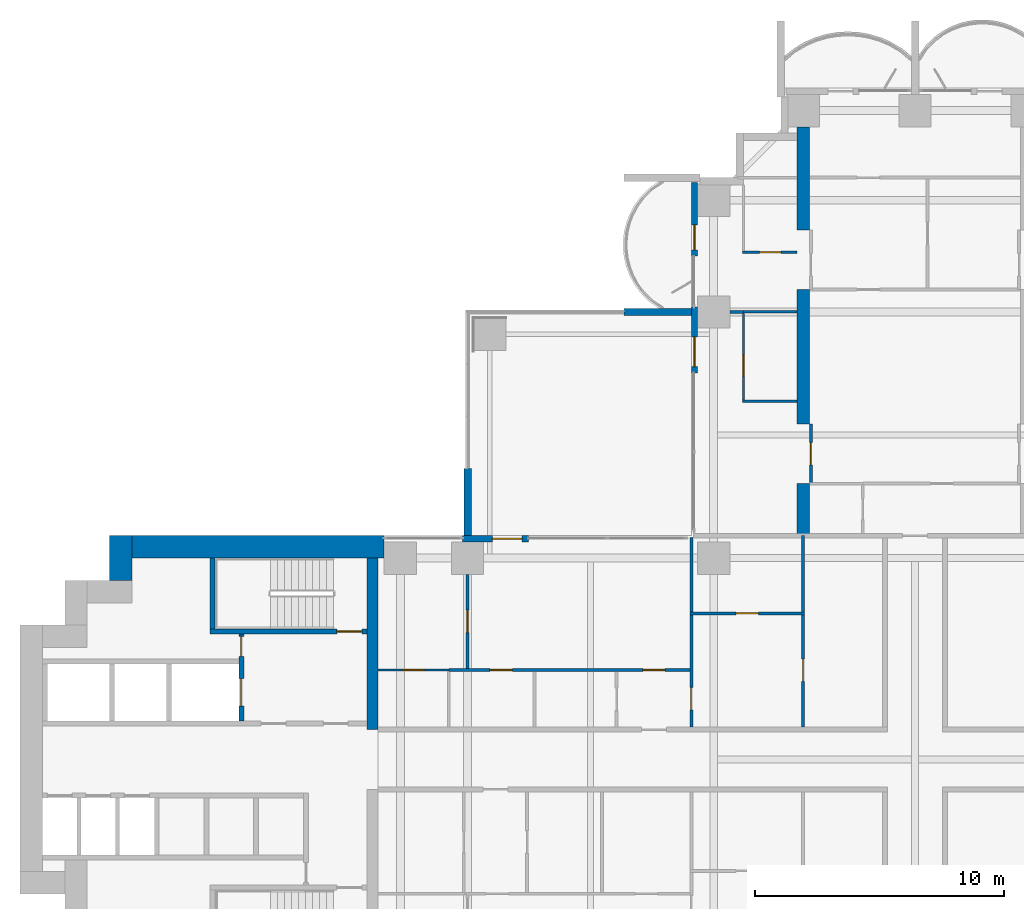
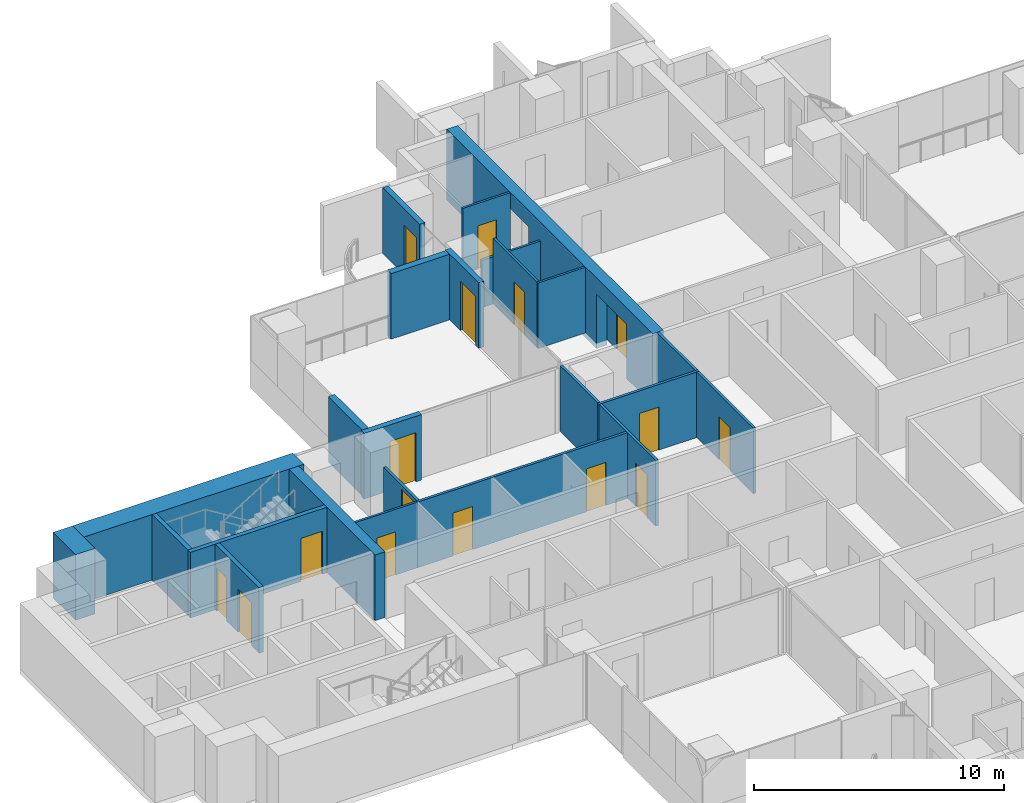
# One storey, part 13 of 21: 24 walls, 16 doors, 16 openings.
"""IFC4 building model written with IfcOpenShell, lengths in metres."""

from ifc_helpers import new_model, si_unit, direction, frame, frame_2d, origin, place, context, subcontext, project, spatial, polyline, rectangle, outline, extrude, material, layer, layer_set, material_profile, profile_set, type_object, element, fill, save


model = new_model("IFC4")

# Units and contexts
model_context = context("Model", 3, precision=1e-05, world=origin(), true_north=direction((0.0, 1.0)))
body_context = subcontext(model_context, "Body", "Model", "MODEL_VIEW")
ifc_project = project(units=[si_unit("LENGTHUNIT", "METRE"), si_unit("AREAUNIT", "SQUARE_METRE"), si_unit("VOLUMEUNIT", "CUBIC_METRE"), si_unit("PLANEANGLEUNIT", "RADIAN"), si_unit("MASSUNIT", "GRAM", prefix="KILO")], contexts=[model_context])

# Site, building, storey
site_placement = place(None, origin())
site = spatial("IfcSite", under=ifc_project, at=site_placement, CompositionType="ELEMENT")
building_placement = place(site_placement, origin())
building = spatial("IfcBuilding", under=site, at=building_placement, Name="Perihelion Cross Residences", CompositionType="ELEMENT")
storey_placement = place(building_placement, frame((0.0, 0.0, 89.0)))
storey = spatial("IfcBuildingStorey", under=building, at=storey_placement, Name="L20", CompositionType="ELEMENT", Elevation=89.0)

# Wall, opening, door
ifc_material_1 = material(Name="Concrete C30/37, bronze-clad", Category="concrete")
ifc_layer_1 = layer(ifc_material_1, 0.25)
ifc_layer_set_1 = layer_set([ifc_layer_1], Name="Bronze-clad pier wall 250")
wall_type_1 = type_object("IfcWallType", Name="Bronze-clad pier wall 250", PredefinedType="SOLIDWALL", material=ifc_layer_set_1)
wall_1_placement = place(storey_placement, frame((-8.875, 23.199951171875, 0.0), z_axis=(0.0, 0.0, 1.0), x_axis=(0.0, -1.0, 0.0)))
wall_1 = element("IfcWall", 1, at=wall_1_placement, inside=storey, type_object=wall_type_1, Name="Wall FW1 L20 north side west bay 1 pier", PredefinedType="SOLIDWALL", context=body_context, shape_type="SweptSolid", body=[
    extrude(rectangle(XDim=2.949951171875, YDim=0.25, at=frame_2d((1.47509765625, 0.0))), origin(), (0.0, 0.0, 1.0), 3.199951171875),
])
opening_1_placement = place(wall_1_placement, frame((1.699951171875, 0.0, 0.0)))
opening_1 = element("IfcOpeningElement", 2, at=opening_1_placement, cuts=wall_1, Name="Opening L20.E06", PredefinedType="OPENING", context=body_context, shape_type="SweptSolid", body=[
    extrude(rectangle(XDim=1.0, YDim=2.39990234375, at=frame_2d((0.5, 1.199951171875))), frame((0.0, 0.135009765625, 0.0), z_axis=(0.0, -1.0, 0.0), x_axis=(1.0, 0.0, 0.0)), (0.0, 0.0, 1.0), 0.27001953125),
])
ifc_material_2 = material(Name="Bronze anodised aluminium, glazed", Category="aluminium")
door_type_1 = type_object("IfcDoorType", Name="Balcony door 1000 x 2400", OperationType="NOTDEFINED", PredefinedType="DOOR", material=ifc_material_2)
door_1_placement = place(opening_1_placement, origin())
door_1 = element("IfcDoor", 3, at=door_1_placement, inside=storey, type_object=door_type_1, Name="Door L20.E06 north side west bay 1", OperationType="SINGLE_SWING_LEFT", OverallHeight=2.39990234375, OverallWidth=1.0, PredefinedType="DOOR", context=body_context, shape_type="SweptSolid", body=[
    extrude(rectangle(XDim=1.0, YDim=2.39990234375, at=frame_2d((0.5, 1.199951171875))), frame((0.0, 0.02490234375, 0.0), z_axis=(0.0, -1.0, 0.0), x_axis=(1.0, 0.0, 0.0)), (0.0, 0.0, 1.0), 0.050048828125),
])
fill(opening_1, door_1)

wall_2_placement = place(storey_placement, frame((-8.875, 18.199951171875, 0.0), z_axis=(0.0, 0.0, 1.0), x_axis=(0.0, -1.0, 0.0)))
wall_2 = element("IfcWall", 4, at=wall_2_placement, inside=storey, type_object=wall_type_1, Name="Wall FW1 L20 north side west bay 2 pier", PredefinedType="SOLIDWALL", context=body_context, shape_type="SweptSolid", body=[
    extrude(rectangle(XDim=2.64990234375, YDim=0.25, at=frame_2d((1.324951171875, 0.0))), origin(), (0.0, 0.0, 1.0), 3.199951171875),
])
opening_2_placement = place(wall_2_placement, frame((1.199951171875, 0.0, 0.0)))
opening_2 = element("IfcOpeningElement", 5, at=opening_2_placement, cuts=wall_2, Name="Opening L20.E07", PredefinedType="OPENING", context=body_context, shape_type="SweptSolid", body=[
    extrude(rectangle(XDim=1.199951171875, YDim=2.39990234375, at=frame_2d((0.60009765625, 1.199951171875))), frame((0.0, 0.135009765625, 0.0), z_axis=(0.0, -1.0, 0.0), x_axis=(1.0, 0.0, 0.0)), (0.0, 0.0, 1.0), 0.27001953125),
])
ifc_material_3 = material(Name="Bronze anodised aluminium, glazed", Category="aluminium")
door_type_2 = type_object("IfcDoorType", Name="Balcony door 1200 x 2400", OperationType="NOTDEFINED", PredefinedType="DOOR", material=ifc_material_3)
door_2_placement = place(opening_2_placement, origin())
door_2 = element("IfcDoor", 6, at=door_2_placement, inside=storey, type_object=door_type_2, Name="Door L20.E07 north side west bay 2", OperationType="SINGLE_SWING_RIGHT", OverallHeight=2.39990234375, OverallWidth=1.199951171875, PredefinedType="DOOR", context=body_context, shape_type="SweptSolid", body=[
    extrude(rectangle(XDim=1.199951171875, YDim=2.39990234375, at=frame_2d((0.60009765625, 1.199951171875))), frame((0.0, 0.02490234375, 0.0), z_axis=(0.0, -1.0, 0.0), x_axis=(1.0, 0.0, 0.0)), (0.0, 0.0, 1.0), 0.050048828125),
])
fill(opening_2, door_2)

wall_3_placement = place(storey_placement, frame((-15.550048828125, 8.875, 0.0), z_axis=(0.0, 0.0, 1.0), x_axis=(-1.0, 0.0, 0.0)))
wall_3 = element("IfcWall", 7, at=wall_3_placement, inside=storey, type_object=wall_type_1, Name="Wall FW1 L20 west side north bay 1 pier", PredefinedType="SOLIDWALL", context=body_context, shape_type="SweptSolid", body=[
    extrude(rectangle(XDim=2.64990234375, YDim=0.25, at=frame_2d((1.324951171875, 0.0))), origin(), (0.0, 0.0, 1.0), 3.199951171875),
])
opening_3_placement = place(wall_3_placement, frame((0.25, 0.0, 0.0)))
opening_3 = element("IfcOpeningElement", 8, at=opening_3_placement, cuts=wall_3, Name="Opening L20.E08", PredefinedType="OPENING", context=body_context, shape_type="SweptSolid", body=[
    extrude(rectangle(XDim=1.199951171875, YDim=2.39990234375, at=frame_2d((0.60009765625, 1.199951171875))), frame((0.0, 0.135009765625, 0.0), z_axis=(0.0, -1.0, 0.0), x_axis=(1.0, 0.0, 0.0)), (0.0, 0.0, 1.0), 0.27001953125),
])
door_3_placement = place(opening_3_placement, origin())
door_3 = element("IfcDoor", 9, at=door_3_placement, inside=storey, type_object=door_type_2, Name="Door L20.E08 west side north bay 1", OperationType="SINGLE_SWING_LEFT", OverallHeight=2.39990234375, OverallWidth=1.199951171875, PredefinedType="DOOR", context=body_context, shape_type="SweptSolid", body=[
    extrude(rectangle(XDim=1.199951171875, YDim=2.39990234375, at=frame_2d((0.60009765625, 1.199951171875))), frame((0.0, 0.02490234375, 0.0), z_axis=(0.0, -1.0, 0.0), x_axis=(1.0, 0.0, 0.0)), (0.0, 0.0, 1.0), 0.050048828125),
])
fill(opening_3, door_3)

# Walls
ifc_material_4 = material(Name="Concrete C60/75", Category="concrete")
ifc_layer_2 = layer(ifc_material_4, 0.449951171875)
ifc_layer_set_2 = layer_set([ifc_layer_2], Name="Core wall, inner 450")
wall_type_2 = type_object("IfcWallType", Name="Core wall, inner 450", PredefinedType="SHEAR", material=ifc_layer_set_2)
wall_4_placement = place(storey_placement, frame((-21.824951171875, 1.199951171875, 0.0), z_axis=(0.0, 0.0, 1.0), x_axis=(0.0, 1.0, 0.0)))
element("IfcWall", 10, at=wall_4_placement, inside=storey, type_object=wall_type_2, Name="West core core wall, inner", PredefinedType="SHEAR", context=body_context, shape_type="SweptSolid", body=[
    extrude(rectangle(XDim=6.900146484375, YDim=0.449951171875, at=frame_2d((3.4501953125, 0.0))), origin(), (0.0, 0.0, 1.0), 3.199951171875),
])
ifc_material_5 = material(Name="Concrete C60/75", Category="concrete")
ifc_layer_3 = layer(ifc_material_5, 0.89990234375)
ifc_layer_set_3 = layer_set([ifc_layer_3], Name="Core wall, outer 900")
wall_type_3 = type_object("IfcWallType", Name="Core wall, outer 900", PredefinedType="SHEAR", material=ifc_layer_set_3)
wall_5_placement = place(storey_placement, frame((-31.949951171875, 7.199951171875, 0.0), z_axis=(0.0, 0.0, 1.0), x_axis=(0.0, 1.0, 0.0)))
element("IfcWall", 11, at=wall_5_placement, inside=storey, type_object=wall_type_3, Name="West core core wall, outer", PredefinedType="SHEAR", context=body_context, shape_type="SweptSolid", body=[
    extrude(rectangle(XDim=1.800048828125, YDim=0.89990234375, at=frame_2d((0.89990234375, 0.0))), origin(), (0.0, 0.0, 1.0), 3.199951171875),
])
wall_6_placement = place(storey_placement, frame((-31.5, 8.550048828125, 0.0), z_axis=(0.0, 0.0, 1.0), x_axis=(1.0, 0.0, 0.0)))
element("IfcWall", 12, at=wall_6_placement, inside=storey, type_object=wall_type_3, Name="West core core wall, outer", PredefinedType="SHEAR", context=body_context, shape_type="SweptSolid", body=[
    extrude(rectangle(XDim=10.14990234375, YDim=0.89990234375, at=frame_2d((5.074951171875, 0.0))), origin(), (0.0, 0.0, 1.0), 3.199951171875),
])

# Wall, opening, door
ifc_material_6 = material(Name="Plasterboard partition")
ifc_layer_4 = layer(ifc_material_6, 0.1201171875)
ifc_layer_set_4 = layer_set([ifc_layer_4], Name="Infill panel 120")
wall_type_4 = type_object("IfcWallType", Name="Infill panel 120", PredefinedType="PARTITIONING", material=ifc_layer_set_4)
wall_7_placement = place(storey_placement, frame((-4.18994140625, 11.10009765625, 0.0), z_axis=(0.0, 0.0, 1.0), x_axis=(0.0, 1.0, 0.0)))
wall_7 = element("IfcWall", 13, at=wall_7_placement, inside=storey, type_object=wall_type_4, Name="Partition L20 WI03", PredefinedType="PARTITIONING", context=body_context, shape_type="SweptSolid", body=[
    extrude(rectangle(XDim=2.39990234375, YDim=0.1201171875, at=frame_2d((1.199951171875, 0.0))), origin(), (0.0, 0.0, 1.0), 2.39990234375),
])
opening_4_placement = place(wall_7_placement, frame((0.75, 0.0, 0.0)))
opening_4 = element("IfcOpeningElement", 14, at=opening_4_placement, cuts=wall_7, Name="Opening L20.A59", PredefinedType="OPENING", context=body_context, shape_type="SweptSolid", body=[
    extrude(rectangle(XDim=0.89990234375, YDim=2.10009765625, at=frame_2d((0.449951171875, 1.050048828125))), frame((0.0, 0.070068359375, 0.0), z_axis=(0.0, -1.0, 0.0), x_axis=(1.0, 0.0, 0.0)), (0.0, 0.0, 1.0), 0.14013671875),
])
ifc_material_7 = material(Name="Timber door leaf", Category="wood")
door_type_3 = type_object("IfcDoorType", Name="Interior room door 900 x 2100", OperationType="SINGLE_SWING_LEFT", PredefinedType="DOOR", material=ifc_material_7)
door_4_placement = place(opening_4_placement, origin())
door_4 = element("IfcDoor", 15, at=door_4_placement, inside=storey, type_object=door_type_3, Name="Door L20.A59", OperationType="SINGLE_SWING_RIGHT", OverallHeight=2.10009765625, OverallWidth=0.89990234375, PredefinedType="DOOR", context=body_context, shape_type="SweptSolid", body=[
    extrude(rectangle(XDim=0.89990234375, YDim=2.10009765625, at=frame_2d((0.449951171875, 1.050048828125))), frame((0.0, 0.02490234375, 0.0), z_axis=(0.0, -1.0, 0.0), x_axis=(1.0, 0.0, 0.0)), (0.0, 0.0, 1.0), 0.050048828125),
])
fill(opening_4, door_4)

# Wall, openings, doors
ifc_material_8 = material(Name="Plasterboard partition")
ifc_layer_5 = layer(ifc_material_8, 0.1201171875)
ifc_layer_set_5 = layer_set([ifc_layer_5], Name="Partition wall 120")
wall_type_5 = type_object("IfcWallType", Name="Partition wall 120", PredefinedType="PARTITIONING", material=ifc_layer_set_5)
wall_8_placement = place(storey_placement, frame((-18.75, 3.60009765625, 0.0), z_axis=(0.0, 0.0, 1.0), x_axis=(1.0, 0.0, 0.0)))
wall_8 = element("IfcWall", 16, at=wall_8_placement, inside=storey, type_object=wall_type_5, Name="Partition L20 W032", PredefinedType="PARTITIONING", context=body_context, shape_type="SweptSolid", body=[
    extrude(rectangle(XDim=9.81005859375, YDim=0.1201171875, at=frame_2d((4.905029296875, 0.0))), origin(), (0.0, 0.0, 1.0), 3.199951171875),
])
opening_5_placement = place(wall_8_placement, frame((1.64990234375, 0.0, 0.0)))
opening_5 = element("IfcOpeningElement", 17, at=opening_5_placement, cuts=wall_8, Name="Opening L20.A22", PredefinedType="OPENING", context=body_context, shape_type="SweptSolid", body=[
    extrude(rectangle(XDim=0.89990234375, YDim=2.10009765625, at=frame_2d((0.449951171875, 1.050048828125))), frame((0.0, 0.070068359375, 0.0), z_axis=(0.0, -1.0, 0.0), x_axis=(1.0, 0.0, 0.0)), (0.0, 0.0, 1.0), 0.14013671875),
])
opening_6_placement = place(wall_8_placement, frame((7.800048828125, 0.0, 0.0)))
opening_6 = element("IfcOpeningElement", 18, at=opening_6_placement, cuts=wall_8, Name="Opening L20.A25", PredefinedType="OPENING", context=body_context, shape_type="SweptSolid", body=[
    extrude(rectangle(XDim=0.89990234375, YDim=2.10009765625, at=frame_2d((0.449951171875, 1.050048828125))), frame((0.0, 0.070068359375, 0.0), z_axis=(0.0, -1.0, 0.0), x_axis=(1.0, 0.0, 0.0)), (0.0, 0.0, 1.0), 0.14013671875),
])
door_5_placement = place(opening_5_placement, origin())
door_5 = element("IfcDoor", 19, at=door_5_placement, inside=storey, type_object=door_type_3, Name="Door L20.A22", OperationType="SINGLE_SWING_RIGHT", OverallHeight=2.10009765625, OverallWidth=0.89990234375, PredefinedType="DOOR", context=body_context, shape_type="SweptSolid", body=[
    extrude(rectangle(XDim=0.89990234375, YDim=2.10009765625, at=frame_2d((0.449951171875, 1.050048828125))), frame((0.0, 0.02490234375, 0.0), z_axis=(0.0, -1.0, 0.0), x_axis=(1.0, 0.0, 0.0)), (0.0, 0.0, 1.0), 0.050048828125),
])
fill(opening_5, door_5)
door_6_placement = place(opening_6_placement, origin())
door_6 = element("IfcDoor", 20, at=door_6_placement, inside=storey, type_object=door_type_3, Name="Door L20.A25", OperationType="SINGLE_SWING_LEFT", OverallHeight=2.10009765625, OverallWidth=0.89990234375, PredefinedType="DOOR", context=body_context, shape_type="SweptSolid", body=[
    extrude(rectangle(XDim=0.89990234375, YDim=2.10009765625, at=frame_2d((0.449951171875, 1.050048828125))), frame((0.0, 0.02490234375, 0.0), z_axis=(0.0, -1.0, 0.0), x_axis=(1.0, 0.0, 0.0)), (0.0, 0.0, 1.0), 0.050048828125),
])
fill(opening_6, door_6)

# Wall, opening, door
wall_9_placement = place(storey_placement, frame((-9.0, 8.919921875, 0.0), z_axis=(0.0, 0.0, 1.0), x_axis=(0.0, -1.0, 0.0)))
wall_9 = element("IfcWall", 21, at=wall_9_placement, inside=storey, type_object=wall_type_5, Name="Partition L20 W033", PredefinedType="PARTITIONING", context=body_context, shape_type="SweptSolid", body=[
    extrude(rectangle(XDim=7.619873046875, YDim=0.1201171875, at=frame_2d((3.81005859375, 0.0))), origin(), (0.0, 0.0, 1.0), 3.199951171875),
])
opening_7_placement = place(wall_9_placement, frame((6.02001953125, 0.0, 0.0)))
opening_7 = element("IfcOpeningElement", 22, at=opening_7_placement, cuts=wall_9, Name="Opening L20.A20", PredefinedType="OPENING", context=body_context, shape_type="SweptSolid", body=[
    extrude(rectangle(XDim=0.89990234375, YDim=2.10009765625, at=frame_2d((0.449951171875, 1.050048828125))), frame((0.0, 0.070068359375, 0.0), z_axis=(0.0, -1.0, 0.0), x_axis=(1.0, 0.0, 0.0)), (0.0, 0.0, 1.0), 0.14013671875),
])
door_7_placement = place(opening_7_placement, origin())
door_7 = element("IfcDoor", 23, at=door_7_placement, inside=storey, type_object=door_type_3, Name="Door L20.A20", OperationType="SINGLE_SWING_RIGHT", OverallHeight=2.10009765625, OverallWidth=0.89990234375, PredefinedType="DOOR", context=body_context, shape_type="SweptSolid", body=[
    extrude(rectangle(XDim=0.89990234375, YDim=2.10009765625, at=frame_2d((0.449951171875, 1.050048828125))), frame((0.0, 0.02490234375, 0.0), z_axis=(0.0, -1.0, 0.0), x_axis=(1.0, 0.0, 0.0)), (0.0, 0.0, 1.0), 0.050048828125),
])
fill(opening_7, door_7)

wall_10_placement = place(storey_placement, frame((-18.0, 3.659912109375, 0.0), z_axis=(0.0, 0.0, 1.0), x_axis=(0.0, 1.0, 0.0)))
wall_10 = element("IfcWall", 24, at=wall_10_placement, inside=storey, type_object=wall_type_5, Name="Partition L20 W037", PredefinedType="PARTITIONING", context=body_context, shape_type="SweptSolid", body=[
    extrude(rectangle(XDim=3.7900390625, YDim=0.1201171875, at=frame_2d((1.89501953125, 0.0))), origin(), (0.0, 0.0, 1.0), 2.2958984375),
])
opening_8_placement = place(wall_10_placement, frame((1.445068359375, 0.0, 0.0)))
opening_8 = element("IfcOpeningElement", 25, at=opening_8_placement, cuts=wall_10, Name="Opening L20.A24", PredefinedType="OPENING", context=body_context, shape_type="SweptSolid", body=[
    extrude(rectangle(XDim=0.89990234375, YDim=2.10009765625, at=frame_2d((0.449951171875, 1.050048828125))), frame((0.0, 0.070068359375, 0.0), z_axis=(0.0, -1.0, 0.0), x_axis=(1.0, 0.0, 0.0)), (0.0, 0.0, 1.0), 0.14013671875),
])
door_8_placement = place(opening_8_placement, origin())
door_8 = element("IfcDoor", 26, at=door_8_placement, inside=storey, type_object=door_type_3, Name="Door L20.A24", OperationType="SINGLE_SWING_RIGHT", OverallHeight=2.10009765625, OverallWidth=0.89990234375, PredefinedType="DOOR", context=body_context, shape_type="SweptSolid", body=[
    extrude(rectangle(XDim=0.89990234375, YDim=2.10009765625, at=frame_2d((0.449951171875, 1.050048828125))), frame((0.0, 0.02490234375, 0.0), z_axis=(0.0, -1.0, 0.0), x_axis=(1.0, 0.0, 0.0)), (0.0, 0.0, 1.0), 0.050048828125),
])
fill(opening_8, door_8)

wall_11_placement = place(storey_placement, frame((-9.06005859375, 5.8798828125, 0.0), z_axis=(0.0, 0.0, 1.0), x_axis=(1.0, 0.0, 0.0)))
wall_11 = element("IfcWall", 27, at=wall_11_placement, inside=storey, type_object=wall_type_5, Name="Partition L20 W038", PredefinedType="PARTITIONING", context=body_context, shape_type="SweptSolid", body=[
    extrude(rectangle(XDim=4.6201171875, YDim=0.1201171875, at=frame_2d((2.31005859375, 0.0))), origin(), (0.0, 0.0, 1.0), 3.199951171875),
])
opening_9_placement = place(wall_11_placement, frame((1.860107421875, 0.0, 0.0)))
opening_9 = element("IfcOpeningElement", 28, at=opening_9_placement, cuts=wall_11, Name="Opening L20.A23", PredefinedType="OPENING", context=body_context, shape_type="SweptSolid", body=[
    extrude(rectangle(XDim=0.89990234375, YDim=2.10009765625, at=frame_2d((0.449951171875, 1.050048828125))), frame((0.0, 0.070068359375, 0.0), z_axis=(0.0, -1.0, 0.0), x_axis=(1.0, 0.0, 0.0)), (0.0, 0.0, 1.0), 0.14013671875),
])
door_9_placement = place(opening_9_placement, origin())
door_9 = element("IfcDoor", 29, at=door_9_placement, inside=storey, type_object=door_type_3, Name="Door L20.A23", OperationType="SINGLE_SWING_LEFT", OverallHeight=2.10009765625, OverallWidth=0.89990234375, PredefinedType="DOOR", context=body_context, shape_type="SweptSolid", body=[
    extrude(rectangle(XDim=0.89990234375, YDim=2.10009765625, at=frame_2d((0.449951171875, 1.050048828125))), frame((0.0, 0.02490234375, 0.0), z_axis=(0.0, -1.0, 0.0), x_axis=(1.0, 0.0, 0.0)), (0.0, 0.0, 1.0), 0.050048828125),
])
fill(opening_9, door_9)

wall_12_placement = place(storey_placement, frame((-4.5, 9.0, 0.0), z_axis=(0.0, 0.0, 1.0), x_axis=(0.0, -1.0, 0.0)))
wall_12 = element("IfcWall", 30, at=wall_12_placement, inside=storey, type_object=wall_type_5, Name="Partition L20 W039", PredefinedType="PARTITIONING", context=body_context, shape_type="SweptSolid", body=[
    extrude(rectangle(XDim=7.699951171875, YDim=0.1201171875, at=frame_2d((3.85009765625, 0.0))), origin(), (0.0, 0.0, 1.0), 3.199951171875),
])
opening_10_placement = place(wall_12_placement, frame((4.9599609375, 0.0, 0.0)))
opening_10 = element("IfcOpeningElement", 31, at=opening_10_placement, cuts=wall_12, Name="Opening L20.A19", PredefinedType="OPENING", context=body_context, shape_type="SweptSolid", body=[
    extrude(rectangle(XDim=0.89990234375, YDim=2.10009765625, at=frame_2d((0.449951171875, 1.050048828125))), frame((0.0, 0.070068359375, 0.0), z_axis=(0.0, -1.0, 0.0), x_axis=(1.0, 0.0, 0.0)), (0.0, 0.0, 1.0), 0.14013671875),
])
door_10_placement = place(opening_10_placement, origin())
door_10 = element("IfcDoor", 32, at=door_10_placement, inside=storey, type_object=door_type_3, Name="Door L20.A19", OperationType="SINGLE_SWING_RIGHT", OverallHeight=2.10009765625, OverallWidth=0.89990234375, PredefinedType="DOOR", context=body_context, shape_type="SweptSolid", body=[
    extrude(rectangle(XDim=0.89990234375, YDim=2.10009765625, at=frame_2d((0.449951171875, 1.050048828125))), frame((0.0, 0.02490234375, 0.0), z_axis=(0.0, -1.0, 0.0), x_axis=(1.0, 0.0, 0.0)), (0.0, 0.0, 1.0), 0.050048828125),
])
fill(opening_10, door_10)

# Walls
wall_13_placement = place(storey_placement, frame((-7.449951171875, 18.0, 0.0), z_axis=(0.0, 0.0, 1.0), x_axis=(1.0, 0.0, 0.0)))
element("IfcWall", 33, at=wall_13_placement, inside=storey, type_object=wall_type_5, Name="Partition L20 W064", PredefinedType="PARTITIONING", context=body_context, shape_type="SweptSolid", body=[
    extrude(rectangle(XDim=0.550048828125, YDim=0.1201171875, at=frame_2d((0.27490234375, 0.0))), origin(), (0.0, 0.0, 1.0), 2.2958984375),
])
ifc_material_9 = material(Name="Precast concrete C50/60", Category="concrete")
ifc_layer_6 = layer(ifc_material_9, 0.300048828125)
ifc_layer_set_6 = layer_set([ifc_layer_6], Name="Precast concrete C50/60 blade wall 300")
wall_type_6 = type_object("IfcWallType", Name="Precast concrete C50/60 blade wall 300", PredefinedType="SOLIDWALL", material=ifc_layer_set_6)
for number, where, z_axis, x_axis, name in (
    (34, (-18.0, 8.75, 0.0), (0.0, 0.0, 1.0), (0.0, 1.0, 0.0), "Wall BL1 L20 no. 2"),
    (35, (-8.75, 18.0, 0.0), (0.0, 0.0, 1.0), (-1.0, 0.0, 0.0), "Wall BL1 L20 no. 7"),
):
    element("IfcWall", number, at=place(storey_placement, frame(where, z_axis=z_axis, x_axis=x_axis)), inside=storey, type_object=wall_type_6, Name=name, PredefinedType="SOLIDWALL", context=body_context, shape_type="SweptSolid", body=[
        extrude(rectangle(XDim=2.949951171875, YDim=0.300048828125, at=frame_2d((1.47509765625, 0.0))), origin(), (0.0, 0.0, 1.0), 3.199951171875),
    ])

# Wall, openings, doors
ifc_material_10 = material(Name="Concrete C50/60", Category="concrete")
ifc_layer_7 = layer(ifc_material_10, 0.199951171875)
ifc_layer_set_7 = layer_set([ifc_layer_7], Name="Shaft wall 200")
wall_type_7 = type_object("IfcWallType", Name="Shaft wall 200", PredefinedType="SOLIDWALL", material=ifc_layer_set_7)
wall_14_placement = place(storey_placement, frame((-27.10009765625, 1.550048828125, 0.0), z_axis=(0.0, 0.0, 1.0), x_axis=(0.0, 1.0, 0.0)))
wall_14 = element("IfcWall", 36, at=wall_14_placement, inside=storey, type_object=wall_type_7, Name="West core shaft wall", PredefinedType="SOLIDWALL", context=body_context, shape_type="SweptSolid", body=[
    extrude(rectangle(XDim=3.5, YDim=0.199951171875, at=frame_2d((1.75, 0.0))), origin(), (0.0, 0.0, 1.0), 3.199951171875),
])
opening_11_placement = place(wall_14_placement, frame((0.60009765625, 0.0, 0.0)))
opening_11 = element("IfcOpeningElement", 37, at=opening_11_placement, cuts=wall_14, Name="Opening L20.C11", PredefinedType="OPENING", context=body_context, shape_type="SweptSolid", body=[
    extrude(rectangle(XDim=1.10009765625, YDim=2.10009765625, at=frame_2d((0.550048828125, 1.050048828125))), frame((0.0, 0.10986328125, 0.0), z_axis=(0.0, -1.0, 0.0), x_axis=(1.0, 0.0, 0.0)), (0.0, 0.0, 1.0), 0.219970703125),
])
opening_12_placement = place(wall_14_placement, frame((2.60009765625, 0.0, 0.0)))
opening_12 = element("IfcOpeningElement", 38, at=opening_12_placement, cuts=wall_14, Name="Opening L20.C20", PredefinedType="OPENING", context=body_context, shape_type="SweptSolid", body=[
    extrude(rectangle(XDim=0.800048828125, YDim=2.10009765625, at=frame_2d((0.39990234375, 1.050048828125))), frame((0.0, 0.10986328125, 0.0), z_axis=(0.0, -1.0, 0.0), x_axis=(1.0, 0.0, 0.0)), (0.0, 0.0, 1.0), 0.219970703125),
])
ifc_material_11 = material(Name="Stainless steel", Category="steel")
door_type_4 = type_object("IfcDoorType", Name="Landing door, firefighting lift 1100", OperationType="DOUBLE_DOOR_SLIDING", PredefinedType="DOOR", material=ifc_material_11)
door_11_placement = place(opening_11_placement, origin())
door_11 = element("IfcDoor", 39, at=door_11_placement, inside=storey, type_object=door_type_4, Name="Landing door, West core firefighting and service lift", OperationType="DOUBLE_DOOR_SLIDING", OverallHeight=2.10009765625, OverallWidth=1.10009765625, PredefinedType="DOOR", context=body_context, shape_type="SweptSolid", body=[
    extrude(rectangle(XDim=1.10009765625, YDim=2.10009765625, at=frame_2d((0.550048828125, 1.050048828125))), frame((0.0, 0.02490234375, 0.0), z_axis=(0.0, -1.0, 0.0), x_axis=(1.0, 0.0, 0.0)), (0.0, 0.0, 1.0), 0.050048828125),
])
fill(opening_11, door_11)
ifc_material_12 = material(Name="Steel, powder coated", Category="steel")
door_type_5 = type_object("IfcDoorType", Name="Riser door 800", OperationType="SINGLE_SWING_LEFT", PredefinedType="DOOR", material=ifc_material_12)
door_12_placement = place(opening_12_placement, origin())
door_12 = element("IfcDoor", 40, at=door_12_placement, inside=storey, type_object=door_type_5, Name="West core riser door", OperationType="SINGLE_SWING_LEFT", OverallHeight=2.10009765625, OverallWidth=0.800048828125, PredefinedType="DOOR", context=body_context, shape_type="SweptSolid", body=[
    extrude(rectangle(XDim=0.800048828125, YDim=2.10009765625, at=frame_2d((0.39990234375, 1.050048828125))), frame((0.0, 0.02490234375, 0.0), z_axis=(0.0, -1.0, 0.0), x_axis=(1.0, 0.0, 0.0)), (0.0, 0.0, 1.0), 0.050048828125),
])
fill(opening_12, door_12)

# Wall, opening, door
ifc_material_13 = material(Name="Concrete C50/60", Category="concrete")
ifc_layer_8 = layer(ifc_material_13, 0.199951171875)
ifc_layer_set_8 = layer_set([ifc_layer_8], Name="Stair wall 200")
wall_type_8 = type_object("IfcWallType", Name="Stair wall 200", PredefinedType="SOLIDWALL", material=ifc_layer_set_8)
wall_15_placement = place(storey_placement, frame((-28.35009765625, 5.14990234375, 0.0), z_axis=(0.0, 0.0, 1.0), x_axis=(1.0, 0.0, 0.0)))
wall_15 = element("IfcWall", 41, at=wall_15_placement, inside=storey, type_object=wall_type_8, Name="West core stair wall", PredefinedType="SOLIDWALL", context=body_context, shape_type="SweptSolid", body=[
    extrude(rectangle(XDim=6.300048828125, YDim=0.199951171875, at=frame_2d((3.14990234375, 0.0))), origin(), (0.0, 0.0, 1.0), 3.199951171875),
])
opening_13_placement = place(wall_15_placement, frame((5.10009765625, 0.0, 0.0)))
opening_13 = element("IfcOpeningElement", 42, at=opening_13_placement, cuts=wall_15, Name="Opening L20.C16", PredefinedType="OPENING", context=body_context, shape_type="SweptSolid", body=[
    extrude(rectangle(XDim=1.0, YDim=2.10009765625, at=frame_2d((0.5, 1.050048828125))), frame((0.0, 0.10986328125, 0.0), z_axis=(0.0, -1.0, 0.0), x_axis=(1.0, 0.0, 0.0)), (0.0, 0.0, 1.0), 0.219970703125),
])
ifc_material_14 = material(Name="Steel, powder coated", Category="steel")
door_type_6 = type_object("IfcDoorType", Name="Stair door 1000", OperationType="SINGLE_SWING_LEFT", PredefinedType="DOOR", material=ifc_material_14)
door_13_placement = place(opening_13_placement, origin())
door_13 = element("IfcDoor", 43, at=door_13_placement, inside=storey, type_object=door_type_6, Name="West core stair door", OperationType="SINGLE_SWING_LEFT", OverallHeight=2.10009765625, OverallWidth=1.0, PredefinedType="DOOR", context=body_context, shape_type="SweptSolid", body=[
    extrude(rectangle(XDim=1.0, YDim=2.10009765625, at=frame_2d((0.5, 1.050048828125))), frame((0.0, 0.02490234375, 0.0), z_axis=(0.0, -1.0, 0.0), x_axis=(1.0, 0.0, 0.0)), (0.0, 0.0, 1.0), 0.050048828125),
])
fill(opening_13, door_13)

# Walls
wall_16_placement = place(storey_placement, frame((-28.25, 5.25, 0.0), z_axis=(0.0, 0.0, 1.0), x_axis=(0.0, 1.0, 0.0)))
element("IfcWall", 44, at=wall_16_placement, inside=storey, type_object=wall_type_8, Name="West core stair wall", PredefinedType="SOLIDWALL", context=body_context, shape_type="SweptSolid", body=[
    extrude(rectangle(XDim=2.85009765625, YDim=0.199951171875, at=frame_2d((1.425048828125, 0.0))), origin(), (0.0, 0.0, 1.0), 3.199951171875),
])
ifc_material_15 = material(Name="Concrete C60/75", Category="concrete")
ifc_material_profile = material_profile(ifc_material_15, outline(polyline([(0.0, 0.0), (2.10009765625, 0.0), (2.10009765625, 2.64990234375), (4.5, 2.64990234375), (4.5, 0.0), (9.89990234375, 0.0), (9.89990234375, 2.64990234375), (12.300048828125, 2.64990234375), (12.300048828125, 0.0), (16.449951171875, 0.0), (16.449951171875, 3.449951171875), (0.0, 3.449951171875), (0.0, 0.0)])), Name="Tip spine wall")
ifc_profile_set = profile_set([ifc_material_profile], Name="Concrete C60/75")
wall_type_9 = type_object("IfcWallType", Name="Tip spine wall 500 with 2 door openings 16450 long 3450 high concrete C60/75 hand B", PredefinedType="SHEAR", material=ifc_profile_set)
wall_17_placement = place(storey_placement, frame((-4.75, 9.0, -0.25), z_axis=(1.0, 0.0, 0.0), x_axis=(0.0, 1.0, 0.0)))
element("IfcWall", 45, at=wall_17_placement, inside=storey, type_object=wall_type_9, Name="Shear wall SW26 L20 north west", PredefinedType="SHEAR", context=body_context, shape_type="SweptSolid", body=[
    extrude(outline(polyline([(0.0, 0.0), (2.10009765625, 0.0), (2.10009765625, 2.64990234375), (4.5, 2.64990234375), (4.5, 0.0), (9.89990234375, 0.0), (9.89990234375, 2.64990234375), (12.300048828125, 2.64990234375), (12.300048828125, 0.0), (16.449951171875, 0.0), (16.449951171875, 3.449951171875), (0.0, 3.449951171875), (0.0, 0.0)])), origin(), (0.0, 0.0, 1.0), 0.5),
])

# Wall, opening, door
ifc_material_16 = material(Name="Plasterboard partition")
ifc_layer_9 = layer(ifc_material_16, 0.10009765625)
ifc_layer_set_9 = layer_set([ifc_layer_9], Name="Wet room wall 100")
wall_type_10 = type_object("IfcWallType", Name="Wet room wall 100", PredefinedType="PARTITIONING", material=ifc_layer_set_9)
wall_18_placement = place(storey_placement, frame((-21.60009765625, 3.60009765625, 0.0), z_axis=(0.0, 0.0, 1.0), x_axis=(1.0, 0.0, 0.0)))
wall_18 = element("IfcWall", 46, at=wall_18_placement, inside=storey, type_object=wall_type_10, Name="Partition L20 W036", PredefinedType="PARTITIONING", context=body_context, shape_type="SweptSolid", body=[
    extrude(rectangle(XDim=2.85009765625, YDim=0.10009765625, at=frame_2d((1.425048828125, 0.0))), origin(), (0.0, 0.0, 1.0), 3.199951171875),
])
opening_14_placement = place(wall_18_placement, frame((1.0, 0.0, 0.0)))
opening_14 = element("IfcOpeningElement", 47, at=opening_14_placement, cuts=wall_18, Name="Opening L20.A18", PredefinedType="OPENING", context=body_context, shape_type="SweptSolid", body=[
    extrude(rectangle(XDim=0.85009765625, YDim=2.10009765625, at=frame_2d((0.425048828125, 1.050048828125))), frame((0.0, 0.06005859375, 0.0), z_axis=(0.0, -1.0, 0.0), x_axis=(1.0, 0.0, 0.0)), (0.0, 0.0, 1.0), 0.1201171875),
])
ifc_material_17 = material(Name="Timber door leaf", Category="wood")
door_type_7 = type_object("IfcDoorType", Name="Interior bathroom door 850 x 2100", OperationType="SINGLE_SWING_LEFT", PredefinedType="DOOR", material=ifc_material_17)
door_14_placement = place(opening_14_placement, origin())
door_14 = element("IfcDoor", 48, at=door_14_placement, inside=storey, type_object=door_type_7, Name="Door L20.A18", OperationType="SINGLE_SWING_RIGHT", OverallHeight=2.10009765625, OverallWidth=0.85009765625, PredefinedType="DOOR", context=body_context, shape_type="SweptSolid", body=[
    extrude(rectangle(XDim=0.85009765625, YDim=2.10009765625, at=frame_2d((0.425048828125, 1.050048828125))), frame((0.0, 0.02490234375, 0.0), z_axis=(0.0, -1.0, 0.0), x_axis=(1.0, 0.0, 0.0)), (0.0, 0.0, 1.0), 0.050048828125),
])
fill(opening_14, door_14)

wall_19_placement = place(storey_placement, frame((-6.89990234375, 17.93994140625, 0.0), z_axis=(0.0, 0.0, 1.0), x_axis=(0.0, -1.0, 0.0)))
wall_19 = element("IfcWall", 49, at=wall_19_placement, inside=storey, type_object=wall_type_10, Name="Partition L20 W062", PredefinedType="PARTITIONING", context=body_context, shape_type="SweptSolid", body=[
    extrude(rectangle(XDim=3.489990234375, YDim=0.10009765625, at=frame_2d((1.7451171875, 0.0))), origin(), (0.0, 0.0, 1.0), 3.199951171875),
])
opening_15_placement = place(wall_19_placement, frame((1.669921875, 0.0, 0.0)))
opening_15 = element("IfcOpeningElement", 50, at=opening_15_placement, cuts=wall_19, Name="Opening L20.A42", PredefinedType="OPENING", context=body_context, shape_type="SweptSolid", body=[
    extrude(rectangle(XDim=0.85009765625, YDim=2.10009765625, at=frame_2d((0.425048828125, 1.050048828125))), frame((0.0, 0.06005859375, 0.0), z_axis=(0.0, -1.0, 0.0), x_axis=(1.0, 0.0, 0.0)), (0.0, 0.0, 1.0), 0.1201171875),
])
door_15_placement = place(opening_15_placement, origin())
door_15 = element("IfcDoor", 51, at=door_15_placement, inside=storey, type_object=door_type_7, Name="Door L20.A42", OperationType="SINGLE_SWING_RIGHT", OverallHeight=2.10009765625, OverallWidth=0.85009765625, PredefinedType="DOOR", context=body_context, shape_type="SweptSolid", body=[
    extrude(rectangle(XDim=0.85009765625, YDim=2.10009765625, at=frame_2d((0.425048828125, 1.050048828125))), frame((0.0, 0.02490234375, 0.0), z_axis=(0.0, -1.0, 0.0), x_axis=(1.0, 0.0, 0.0)), (0.0, 0.0, 1.0), 0.050048828125),
])
fill(opening_15, door_15)

# Walls
wall_20_placement = place(storey_placement, frame((-6.949951171875, 14.39990234375, 0.0), z_axis=(0.0, 0.0, 1.0), x_axis=(1.0, 0.0, 0.0)))
element("IfcWall", 52, at=wall_20_placement, inside=storey, type_object=wall_type_10, Name="Partition L20 W063", PredefinedType="PARTITIONING", context=body_context, shape_type="SweptSolid", body=[
    extrude(rectangle(XDim=2.199951171875, YDim=0.10009765625, at=frame_2d((1.10009765625, 0.0))), origin(), (0.0, 0.0, 1.0), 3.199951171875),
])
wall_21_placement = place(storey_placement, frame((-6.89990234375, 18.0, 0.0), z_axis=(0.0, 0.0, 1.0), x_axis=(1.0, 0.0, 0.0)))
element("IfcWall", 53, at=wall_21_placement, inside=storey, type_object=wall_type_10, Name="Partition L20 W065", PredefinedType="PARTITIONING", context=body_context, shape_type="SweptSolid", body=[
    extrude(rectangle(XDim=2.14990234375, YDim=0.10009765625, at=frame_2d((1.074951171875, 0.0))), origin(), (0.0, 0.0, 1.0), 2.2958984375),
])

# Wall, opening, door
wall_22_placement = place(storey_placement, frame((-6.949951171875, 20.39990234375, 0.0), z_axis=(0.0, 0.0, 1.0), x_axis=(1.0, 0.0, 0.0)))
wall_22 = element("IfcWall", 54, at=wall_22_placement, inside=storey, type_object=wall_type_10, Name="Partition L20 W067", PredefinedType="PARTITIONING", context=body_context, shape_type="SweptSolid", body=[
    extrude(rectangle(XDim=2.199951171875, YDim=0.10009765625, at=frame_2d((1.10009765625, 0.0))), origin(), (0.0, 0.0, 1.0), 3.199951171875),
])
opening_16_placement = place(wall_22_placement, frame((0.699951171875, 0.0, 0.0)))
opening_16 = element("IfcOpeningElement", 55, at=opening_16_placement, cuts=wall_22, Name="Opening L20.A43", PredefinedType="OPENING", context=body_context, shape_type="SweptSolid", body=[
    extrude(rectangle(XDim=0.85009765625, YDim=2.10009765625, at=frame_2d((0.425048828125, 1.050048828125))), frame((0.0, 0.06005859375, 0.0), z_axis=(0.0, -1.0, 0.0), x_axis=(1.0, 0.0, 0.0)), (0.0, 0.0, 1.0), 0.1201171875),
])
door_16_placement = place(opening_16_placement, origin())
door_16 = element("IfcDoor", 56, at=door_16_placement, inside=storey, type_object=door_type_7, Name="Door L20.A43", OperationType="SINGLE_SWING_LEFT", OverallHeight=2.10009765625, OverallWidth=0.85009765625, PredefinedType="DOOR", context=body_context, shape_type="SweptSolid", body=[
    extrude(rectangle(XDim=0.85009765625, YDim=2.10009765625, at=frame_2d((0.425048828125, 1.050048828125))), frame((0.0, 0.02490234375, 0.0), z_axis=(0.0, -1.0, 0.0), x_axis=(1.0, 0.0, 0.0)), (0.0, 0.0, 1.0), 0.050048828125),
])
fill(opening_16, door_16)

save(model, "model.ifc")
